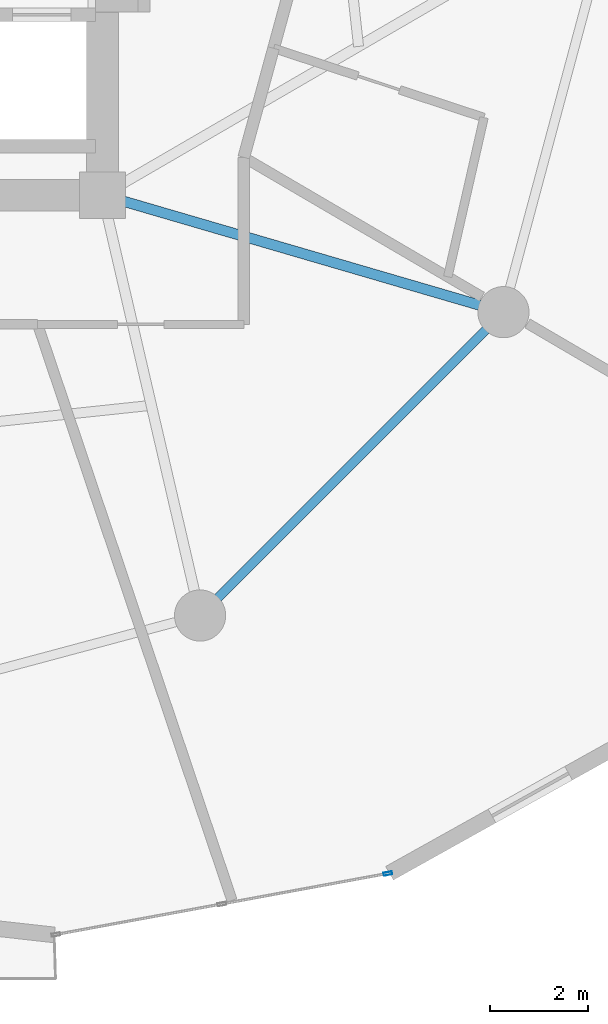
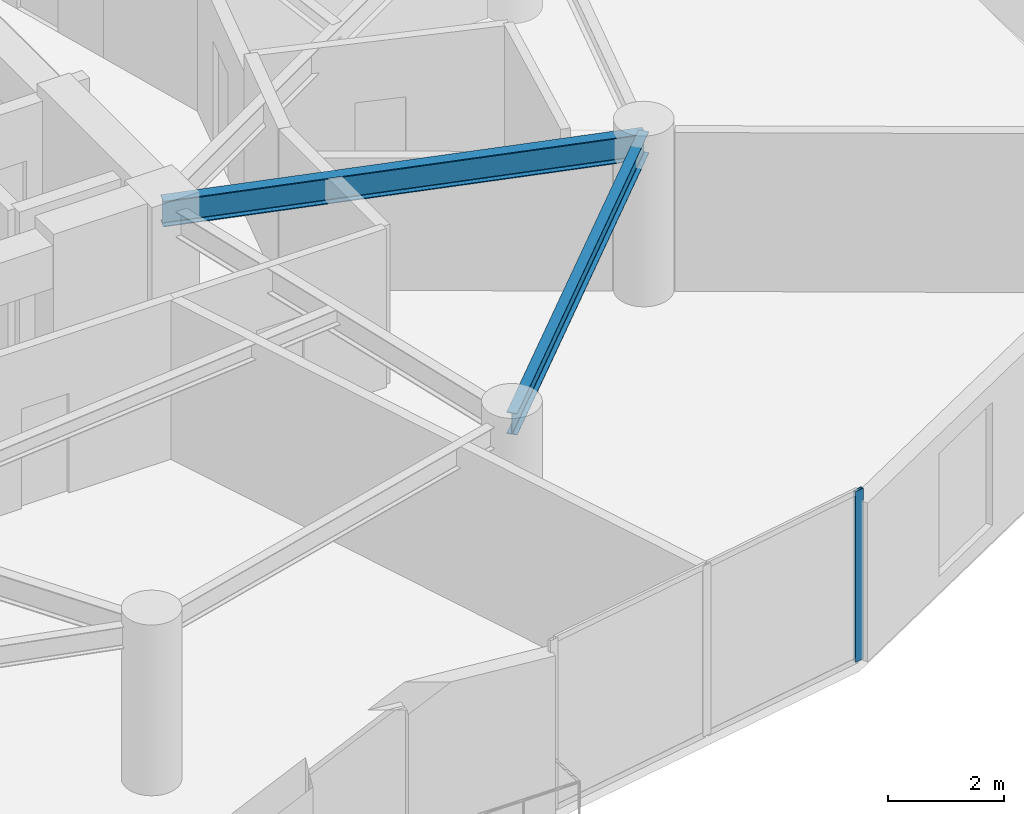
# One storey, part 10 of 25: 2 beams, 1 member, 1 element without a shape of its own.
"""IFC4 building model written with IfcOpenShell, lengths in metres."""

from ifc_helpers import new_model, si_unit, direction, frame, origin, origin_2d, place, context, subcontext, project, spatial, hollow_rectangle, i_section, extrude, source, transform, mapped, material, layer, layer_set, material_profile, profile_set, type_object, element, aggregate, save


model = new_model("IFC4")

# Units and contexts
model_context = context("Model", 3, precision=1e-05, world=origin(), true_north=direction((0.0, 1.0)))
body_context = subcontext(model_context, "Body", "Model", "MODEL_VIEW")
ifc_project = project(units=[si_unit("LENGTHUNIT", "METRE"), si_unit("AREAUNIT", "SQUARE_METRE"), si_unit("VOLUMEUNIT", "CUBIC_METRE"), si_unit("PLANEANGLEUNIT", "RADIAN"), si_unit("MASSUNIT", "GRAM", prefix="KILO")], contexts=[model_context])

# Site, building, storey
site_placement = place(None, origin())
site = spatial("IfcSite", under=ifc_project, at=site_placement, CompositionType="ELEMENT")
building_placement = place(site_placement, origin())
building = spatial("IfcBuilding", under=site, at=building_placement, Name="Solvirekh Grand Hotel", CompositionType="ELEMENT")
storey_placement = place(building_placement, frame((0.0, 0.0, 102.60009765625)))
storey = spatial("IfcBuildingStorey", under=building, at=storey_placement, Name="L25", CompositionType="ELEMENT", Elevation=102.60009765625)

# Beams
ifc_material_1 = material(Name="Steel S355", Category="steel")
ifc_material_profile_1 = material_profile(ifc_material_1, i_section(OverallWidth=0.2119140625, OverallDepth=0.5439453125, WebThickness=0.011962890625, FlangeThickness=0.01904296875, FilletRadius=0.013916015625, at=origin_2d()), Name="W530X123")
ifc_profile_set_1 = profile_set([ifc_material_profile_1], Name="Steel S355")
beam_type_1 = type_object("IfcBeamType", Name="Beam_Radial_W530H", PredefinedType="BEAM", material=ifc_profile_set_1)
beam_1_placement = place(storey_placement, frame((6.5, -6.10009765625, 3.077880859375), z_axis=(0.959942195467, -0.28019811092, 0.0), x_axis=(0.28019811092, 0.959942195467, 0.0)))
element("IfcBeam", 1, at=beam_1_placement, inside=storey, type_object=beam_type_1, Name="L25 radial floor beam R12", PredefinedType="BEAM", context=body_context, shape_type="SweptSolid", body=[
    extrude(i_section(OverallWidth=0.2119140625, OverallDepth=0.5439453125, WebThickness=0.011962890625, FlangeThickness=0.01904296875, FilletRadius=0.013916015625, at=origin_2d()), origin(), (0.0, 0.0, 1.0), 8.56494140625),
])
ifc_material_profile_2 = material_profile(ifc_material_1, i_section(OverallWidth=0.18994140625, OverallDepth=0.45703125, WebThickness=0.009033203125, FlangeThickness=0.013916015625, FilletRadius=0.012939453125, at=origin_2d()), Name="W460X74")
ifc_profile_set_2 = profile_set([ifc_material_profile_2], Name="Steel S355")
beam_type_2 = type_object("IfcBeamType", Name="Spandrel_Ring_W460", PredefinedType="SPANDREL", material=ifc_profile_set_2)
beam_2_placement = place(storey_placement, frame((8.5, -14.721923828125, 3.121826171875), z_axis=(0.707106781187, 0.707106781187, 0.0), x_axis=(-0.707106781187, 0.707106781187, 0.0)))
element("IfcBeam", 2, at=beam_2_placement, inside=storey, type_object=beam_type_2, Name="L25 perimeter spandrel beam 11", PredefinedType="SPANDREL", context=body_context, shape_type="SweptSolid", body=[
    extrude(i_section(OverallWidth=0.18994140625, OverallDepth=0.45703125, WebThickness=0.009033203125, FlangeThickness=0.013916015625, FilletRadius=0.012939453125, at=origin_2d()), origin(), (0.0, 0.0, 1.0), 8.799072265625),
])

# Curtain wall, member
ifc_material_2 = material(Name="Anodized Bronze Aluminium 6063-T6", Category="aluminium")
ifc_layer = layer(ifc_material_2, 0.175048828125)
ifc_layer_set = layer_set([ifc_layer], Name="Anodized Bronze Aluminium 6063-T6")
curtain_wall_type = type_object("IfcCurtainWallType", Name="CW_Sys3_MidZoneFlushBronzeCW", PredefinedType="NOTDEFINED", material=ifc_layer_set)
curtain_wall_placement = place(storey_placement, origin())
curtain_wall = element("IfcCurtainWall", 3, at=curtain_wall_placement, inside=storey, type_object=curtain_wall_type, Name="L25 unitised bronze-glass curtain wall CW-L25-C18", PredefinedType="NOTDEFINED")
ifc_material_profile_3 = material_profile(ifc_material_2, hollow_rectangle(XDim=0.06494140625, YDim=0.175048828125, WallThickness=0.0048828125, at=origin_2d()), Name="ALU RHS 175X65X5")
ifc_profile_set_3 = profile_set([ifc_material_profile_3], Name="Anodized Bronze Aluminium 6063-T6")
member_type = type_object("IfcMemberType", Name="CWMullion_Sys3", PredefinedType="MULLION", material=ifc_profile_set_3)
shared_shape = source(origin(), body_context, "Body", "SweptSolid", [
    extrude(hollow_rectangle(XDim=0.06494140625, YDim=0.175048828125, WallThickness=0.0048828125, at=origin_2d()), origin(), (0.0, 0.0, 1.0), 3.599853515625),
])
member_placement = place(storey_placement, frame((12.35302734375, -20.013916015625, 0.0), z_axis=(0.0, 0.0, 1.0), x_axis=(-0.180987633873, 0.983485371719, 0.0)))
member = element("IfcMember", 4, at=member_placement, type_object=member_type, Name="U03 mullion 3", PredefinedType="MULLION", context=body_context, shape_type="MappedRepresentation", body=[
    mapped(shared_shape, transform((0.0, 0.0, 0.0), x_axis=(1.0, 0.0, 0.0), y_axis=(0.0, 1.0, 0.0), z_axis=(0.0, 0.0, 1.0), scale=1.0)),
])
aggregate(curtain_wall, [member])

save(model, "model.ifc")
